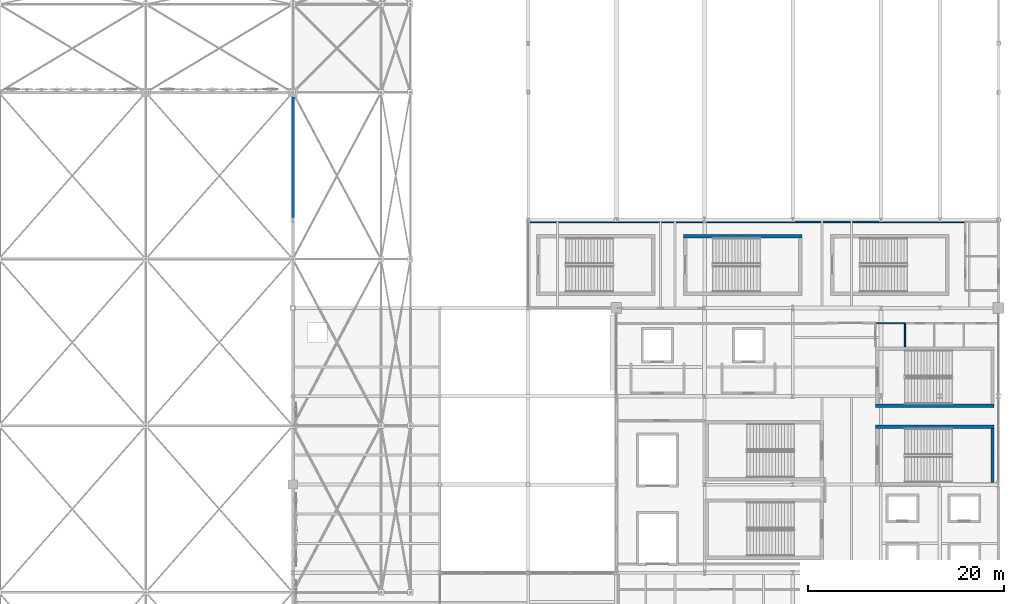
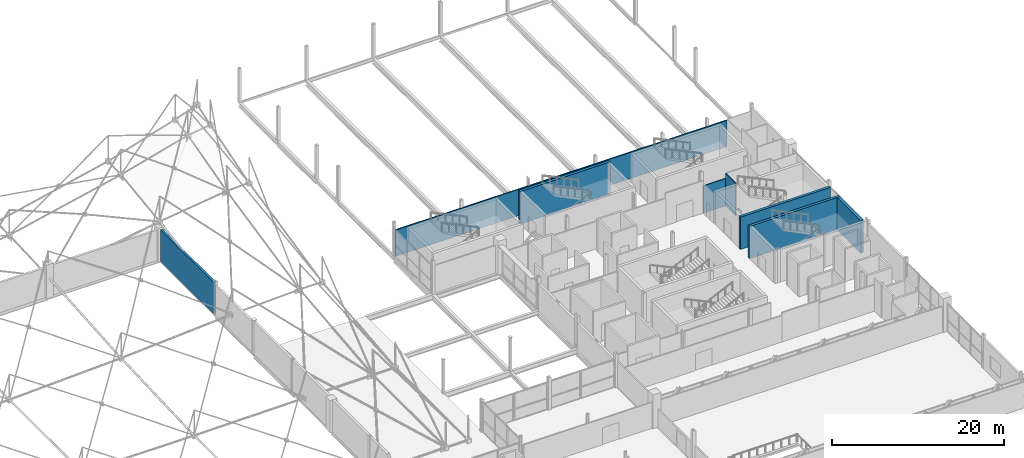
# One storey, part 200 of 224: 8 walls.
"""IFC4 building model written with IfcOpenShell, lengths in metres."""

import ifcopenshell
import ifcopenshell.guid

model = None  # the IFC model being written
_history = None  # IfcOwnerHistory: only IFC2X3 demands one
_inside = {}  # id of a spatial element -> (the spatial element, [elements in it])
_under = {}  # id of a project, library or spatial element -> (it, [spatial elements below it])
_declared = {}  # id of a project -> (the project, [libraries it declares])
_typed = {}  # id of a type object -> (the type object, [elements of that type])
_made_of = {}  # id of a material, layer set ... -> (it, [elements and type objects made of it])


def new_model(schema):
    """Start an empty IFC model of exactly this schema.

    Asked for "IFC4X3", IfcOpenShell would pick the latest addendum, in which some entities
    have other attributes; the version numbers below select the first issue.
    IFC2X3 requires an IfcOwnerHistory on every rooted entity: one is made here for all.
    """
    global model, _history
    if schema == "IFC4X3":
        model = ifcopenshell.file(schema_version=(4, 3, 0, 0))
    else:
        model = ifcopenshell.file(schema=schema)
    _inside.clear()
    _under.clear()
    _declared.clear()
    _typed.clear()
    _made_of.clear()
    _history = None
    if model.schema == "IFC2X3":
        org = make("IfcOrganization", Name="unknown")
        user = make(
            "IfcPersonAndOrganization",
            ThePerson=make("IfcPerson", FamilyName="unknown"),
            TheOrganization=org,
        )
        app = make(
            "IfcApplication",
            ApplicationDeveloper=org,
            Version="unknown",
            ApplicationFullName="unknown",
            ApplicationIdentifier="unknown",
        )
        _history = make(
            "IfcOwnerHistory",
            OwningUser=user,
            OwningApplication=app,
            ChangeAction="ADDED",
            CreationDate=0,
        )
    return model


def make(cls, **values):
    """One entity of the class cls with the attributes given. An attribute that is None is left unset."""
    return model.create_entity(
        cls, **{name: value for name, value in values.items() if value is not None}
    )


def rooted(cls, **values):
    """An entity with a GlobalId (a new one), such as an element, a storey or a relation."""
    return make(cls, GlobalId=ifcopenshell.guid.new(), OwnerHistory=_history, **values)


def si_unit(unit_type, name, prefix=None):
    """IfcSIUnit, for example si_unit("LENGTHUNIT", "METRE", prefix="MILLI")."""
    return make("IfcSIUnit", UnitType=unit_type, Prefix=prefix, Name=name)


def assignment(units):
    """IfcUnitAssignment: the units of a project."""
    return None if units is None else make("IfcUnitAssignment", Units=units)


def point(xyz):
    """IfcCartesianPoint."""
    return None if xyz is None else make("IfcCartesianPoint", Coordinates=xyz)


def direction(xyz):
    """IfcDirection."""
    return None if xyz is None else make("IfcDirection", DirectionRatios=xyz)


def frame(location, z_axis=None, x_axis=None):
    """IfcAxis2Placement3D, a coordinate frame: its origin and axes. An axis left out is left unset."""
    return make(
        "IfcAxis2Placement3D",
        Location=point(location),
        Axis=direction(z_axis),
        RefDirection=direction(x_axis),
    )


def frame_2d(location, x_axis=None):
    """IfcAxis2Placement2D, a coordinate frame in the plane: its origin and x axis."""
    return make(
        "IfcAxis2Placement2D", Location=point(location), RefDirection=direction(x_axis)
    )


def origin():
    """The frame at (0, 0, 0) with its axes left unset."""
    return frame((0.0, 0.0, 0.0))


def place(relative_to, where):
    """IfcLocalPlacement: puts the frame where relative to a parent placement (None: the world)."""
    return make(
        "IfcLocalPlacement", PlacementRelTo=relative_to, RelativePlacement=where
    )


def context(
    kind, dimensions, precision=None, world=None, true_north=None, identifier=None
):
    """IfcGeometricRepresentationContext, for example the 3D "Model" context."""
    return make(
        "IfcGeometricRepresentationContext",
        ContextIdentifier=identifier,
        ContextType=kind,
        CoordinateSpaceDimension=dimensions,
        Precision=precision,
        WorldCoordinateSystem=world,
        TrueNorth=true_north,
    )


def subcontext(parent, identifier, kind, view, scale=None):
    """IfcGeometricRepresentationSubContext, for example "Body" below "Model"."""
    return make(
        "IfcGeometricRepresentationSubContext",
        ContextIdentifier=identifier,
        ContextType=kind,
        ParentContext=parent,
        TargetScale=scale,
        TargetView=view,
    )


def project(units=None, contexts=None):
    """IfcProject with its units and contexts."""
    return rooted(
        "IfcProject",
        Name="project",
        RepresentationContexts=contexts,
        UnitsInContext=assignment(units),
    )


def spatial(cls, under=None, at=None, **own):
    """A site, building, storey or space (cls), placed at a placement, below another one or the project."""
    s = rooted(cls, ObjectPlacement=at, **own)
    if under is not None:
        _under.setdefault(under.id(), (under, []))[1].append(s)
    return s


def profile(cls, at=None, kind="AREA", **sizes):
    """A parametric profile (cls). Its sizes go by their IFC names, for example OverallWidth=200.0."""
    return make(cls, ProfileType=kind, Position=at, **sizes)


def rectangle(**sizes):
    """IfcRectangleProfileDef."""
    return profile("IfcRectangleProfileDef", **sizes)


def extrude(swept, where, along, depth):
    """IfcExtrudedAreaSolid: the profile swept, set in the frame where, extruded along a direction by depth."""
    return make(
        "IfcExtrudedAreaSolid",
        SweptArea=swept,
        Position=where,
        ExtrudedDirection=direction(along),
        Depth=depth,
    )


def shape(context_of_items, identifier, shape_type, items):
    """IfcShapeRepresentation: the items that make up one representation, for example the "Body"."""
    return make(
        "IfcShapeRepresentation",
        ContextOfItems=context_of_items,
        RepresentationIdentifier=identifier,
        RepresentationType=shape_type,
        Items=items,
    )


def material(Name=None, Category=None):
    """IfcMaterial."""
    return make("IfcMaterial", Name=Name, Category=Category)


def layer(
    of_material, thickness, ventilated=None, Name=None, Category=None, Priority=None
):
    """IfcMaterialLayer: one layer of a wall or slab, of a material (None: an air gap)."""
    return make(
        "IfcMaterialLayer",
        Material=of_material,
        LayerThickness=thickness,
        IsVentilated=ventilated,
        Name=Name,
        Category=Category,
        Priority=Priority,
    )


def layer_set(layers, Name=None):
    """IfcMaterialLayerSet."""
    return make("IfcMaterialLayerSet", MaterialLayers=layers, LayerSetName=Name)


def made_of(thing, what):
    """Note that an element or type object is made of a material, layer set ...; save() writes the relation."""
    if what is not None:
        _made_of.setdefault(what.id(), (what, []))[1].append(thing)
    return thing


def type_object(cls, material=None, **own):
    """A type object (cls), such as IfcWallType, which elements share."""
    return made_of(rooted(cls, **own), material)


def element(
    cls,
    number,
    at=None,
    inside=None,
    cuts=None,
    type_object=None,
    material=None,
    context=None,
    identifier="Body",
    shape_type=None,
    held_by="IfcProductDefinitionShape",
    body=None,
    shapes=None,
    **own,
):
    """One element of the class cls, such as IfcWall. Its Tag is "e" and its number.

    at: its placement. inside: the storey or other place that contains it. cuts: it is an
    opening in that element (IfcRelVoidsElement). A single representation is given by context,
    identifier, shape_type and body (its items); several are given by shapes. held_by: the class
    of the entity that holds the representations. save() writes the other relations.
    """
    e = rooted(cls, Tag="e%d" % number, ObjectPlacement=at, **own)
    if body is not None:
        shapes = [shape(context, identifier, shape_type, body)]
    if shapes is not None:
        e.Representation = make(held_by, Representations=shapes)
    if inside is not None:
        _inside.setdefault(inside.id(), (inside, []))[1].append(e)
    if cuts is not None:
        rooted(
            "IfcRelVoidsElement", RelatingBuildingElement=cuts, RelatedOpeningElement=e
        )
    if type_object is not None:
        _typed.setdefault(type_object.id(), (type_object, []))[1].append(e)
    return made_of(e, material)


def aggregate(whole, parts):
    """IfcRelAggregates: a whole, such as a stair, and the parts it consists of."""
    return rooted("IfcRelAggregates", RelatingObject=whole, RelatedObjects=parts)


def save(model, path):
    """Write the relations noted so far, then the file.

    IfcRelAggregates (storeys below a building ...), IfcRelContainedInSpatialStructure (elements
    in a storey), IfcRelDefinesByType, IfcRelAssociatesMaterial and IfcRelDeclares: one each for
    every whole, place, type object, material and project.
    """
    for whole, parts in _under.values():
        aggregate(whole, parts)
    for where, things in _inside.values():
        rooted(
            "IfcRelContainedInSpatialStructure",
            RelatedElements=things,
            RelatingStructure=where,
        )
    for kind, things in _typed.values():
        rooted("IfcRelDefinesByType", RelatedObjects=things, RelatingType=kind)
    for what, things in _made_of.values():
        rooted("IfcRelAssociatesMaterial", RelatedObjects=things, RelatingMaterial=what)
    for by, libraries in _declared.values():
        rooted("IfcRelDeclares", RelatingContext=by, RelatedDefinitions=libraries)
    model.write(path)


model = new_model("IFC4")

# Units and contexts
model_context = context("Model", 3, precision=1e-05, world=origin(), true_north=direction((0.0, 1.0)))
body_context = subcontext(model_context, "Body", "Model", "MODEL_VIEW")
ifc_project = project(units=[si_unit("LENGTHUNIT", "METRE"), si_unit("AREAUNIT", "SQUARE_METRE"), si_unit("VOLUMEUNIT", "CUBIC_METRE"), si_unit("PLANEANGLEUNIT", "RADIAN"), si_unit("MASSUNIT", "GRAM", prefix="KILO")], contexts=[model_context])

# Site, building, storey
site_placement = place(None, origin())
site = spatial("IfcSite", under=ifc_project, at=site_placement, CompositionType="ELEMENT")
building_placement = place(site_placement, origin())
building = spatial("IfcBuilding", under=site, at=building_placement, Name="Qamarlyn Nura Convention Centre", CompositionType="ELEMENT")
storey_placement = place(building_placement, frame((0.0, 0.0, 10.800048828125)))
storey = spatial("IfcBuildingStorey", under=building, at=storey_placement, Name="L02", CompositionType="ELEMENT", Elevation=10.800048828125)

# Walls
ifc_material_1 = material(Name="Concrete C50/60", Category="concrete")
ifc_layer_1 = layer(ifc_material_1, 0.35009765625, Name="WT-CORE-350")
ifc_layer_set_1 = layer_set([ifc_layer_1], Name="Concrete C50/60")
wall_type_1 = type_object("IfcWallType", Name="WT-CORE-350", PredefinedType="SHEAR", material=ifc_layer_set_1)
wall_1_placement = place(storey_placement, frame((191.550048828125, 68.875, 0.0), z_axis=(0.0, 0.0, 1.0), x_axis=(-1.0, 0.0, 0.0)))
element("IfcWall", 1, at=wall_1_placement, inside=storey, type_object=wall_type_1, Name="L02 stair core shear wall ST-13-N", PredefinedType="SHEAR", context=body_context, shape_type="SweptSolid", body=[
    extrude(rectangle(XDim=12.10009765625, YDim=0.35009765625, at=frame_2d((6.050048828125, 0.0))), origin(), (0.0, 0.0, 1.0), 4.599853515625),
])
wall_2_placement = place(storey_placement, frame((191.375, 63.199951171875, 0.0), z_axis=(0.0, 0.0, 1.0), x_axis=(0.0, 1.0, 0.0)))
element("IfcWall", 2, at=wall_2_placement, inside=storey, type_object=wall_type_1, Name="L02 stair core shear wall ST-13-E", PredefinedType="SHEAR", context=body_context, shape_type="SweptSolid", body=[
    extrude(rectangle(XDim=5.5, YDim=0.35009765625, at=frame_2d((2.75, 0.0))), origin(), (0.0, 0.0, 1.0), 4.599853515625),
])
wall_3_placement = place(storey_placement, frame((179.449951171875, 71.02490234375, 0.0), z_axis=(0.0, 0.0, 1.0), x_axis=(1.0, 0.0, 0.0)))
element("IfcWall", 3, at=wall_3_placement, inside=storey, type_object=wall_type_1, Name="L02 stair core shear wall ST-14-S", PredefinedType="SHEAR", context=body_context, shape_type="SweptSolid", body=[
    extrude(rectangle(XDim=12.10009765625, YDim=0.35009765625, at=frame_2d((6.050048828125, 0.0))), origin(), (0.0, 0.0, 1.0), 4.599853515625),
])
wall_4_placement = place(storey_placement, frame((171.949951171875, 88.324951171875, 0.0), z_axis=(0.0, 0.0, 1.0), x_axis=(-1.0, 0.0, 0.0)))
element("IfcWall", 4, at=wall_4_placement, inside=storey, type_object=wall_type_1, Name="L02 stair core shear wall ST-16-N", PredefinedType="SHEAR", context=body_context, shape_type="SweptSolid", body=[
    extrude(rectangle(XDim=12.099853515625, YDim=0.35009765625, at=frame_2d((6.0498046875, 0.0))), origin(), (0.0, 0.0, 1.0), 4.599853515625),
])
ifc_material_2 = material(Name="Concrete C40/50 with UAE coastal limestone stone facing", Category="masonry")
ifc_layer_2 = layer(ifc_material_2, 0.300048828125, Name="WT-LIME-300")
ifc_layer_set_2 = layer_set([ifc_layer_2], Name="Concrete C40/50 with UAE coastal limestone stone facing")
wall_type_2 = type_object("IfcWallType", Name="WT-LIME-300", PredefinedType="SOLIDWALL", material=ifc_layer_set_2)
wall_5_placement = place(storey_placement, frame((120.0, 102.52490234375, 0.0), z_axis=(0.0, 0.0, 1.0), x_axis=(0.0, -1.0, 0.0)))
element("IfcWall", 5, at=wall_5_placement, inside=storey, type_object=wall_type_2, Name="L02 exterior facade wall WEXT-L02-1200-1025-1200-902", PredefinedType="SOLIDWALL", context=body_context, shape_type="SweptSolid", body=[
    extrude(rectangle(XDim=12.3125, YDim=0.300048828125, at=frame_2d((6.15625, 0.0))), origin(), (0.0, 0.0, 1.0), 4.48486328125),
])
ifc_material_3 = material(Name="Acoustic double-stud gypsum partition")
ifc_layer_3 = layer(ifc_material_3, 0.1201171875, Name="WT-PART-120")
ifc_layer_set_3 = layer_set([ifc_layer_3], Name="Acoustic double-stud gypsum partition")
wall_type_3 = type_object("IfcWallType", Name="WT-PART-120", PredefinedType="PARTITIONING", material=ifc_layer_set_3)
wall_6_placement = place(storey_placement, frame((179.449951171875, 79.449951171875, 0.0), z_axis=(0.0, 0.0, 1.0), x_axis=(1.0, 0.0, 0.0)))
element("IfcWall", 6, at=wall_6_placement, inside=storey, type_object=wall_type_3, Name="L02 interior partition L02-SIB-01-1-1", PredefinedType="PARTITIONING", context=body_context, shape_type="SweptSolid", body=[
    extrude(rectangle(XDim=3.0, YDim=0.1201171875, at=frame_2d((1.5, 0.0))), origin(), (0.0, 0.0, 1.0), 3.889892578125),
])
wall_7_placement = place(storey_placement, frame((182.449951171875, 79.449951171875, 0.0), z_axis=(0.0, 0.0, 1.0), x_axis=(0.0, -1.0, 0.0)))
element("IfcWall", 7, at=wall_7_placement, inside=storey, type_object=wall_type_3, Name="L02 interior partition L02-SIB-01-2-1", PredefinedType="PARTITIONING", context=body_context, shape_type="SweptSolid", body=[
    extrude(rectangle(XDim=2.39990234375, YDim=0.1201171875, at=frame_2d((1.199951171875, 0.0))), origin(), (0.0, 0.0, 1.0), 4.599853515625),
])
ifc_material_4 = material(Name="Fire-rated acoustic gypsum board EI 60")
ifc_layer_4 = layer(ifc_material_4, 0.159912109375, Name="WT-PART-160")
ifc_layer_set_4 = layer_set([ifc_layer_4], Name="Fire-rated acoustic gypsum board EI 60")
wall_type_4 = type_object("IfcWallType", Name="WT-PART-160", PredefinedType="PARTITIONING", material=ifc_layer_set_4)
wall_8_placement = place(storey_placement, frame((144.011962890625, 89.800048828125, 0.0), z_axis=(0.0, 0.0, 1.0), x_axis=(1.0, 0.0, 0.0)))
element("IfcWall", 8, at=wall_8_placement, inside=storey, type_object=wall_type_4, Name="L02 interior partition L02-PLN-FOY2-143-1", PredefinedType="PARTITIONING", context=body_context, shape_type="SweptSolid", body=[
    extrude(rectangle(XDim=44.548095703125, YDim=0.159912109375, at=frame_2d((22.27392578125, 0.0))), origin(), (0.0, 0.0, 1.0), 3.72998046875),
])

save(model, "model.ifc")
